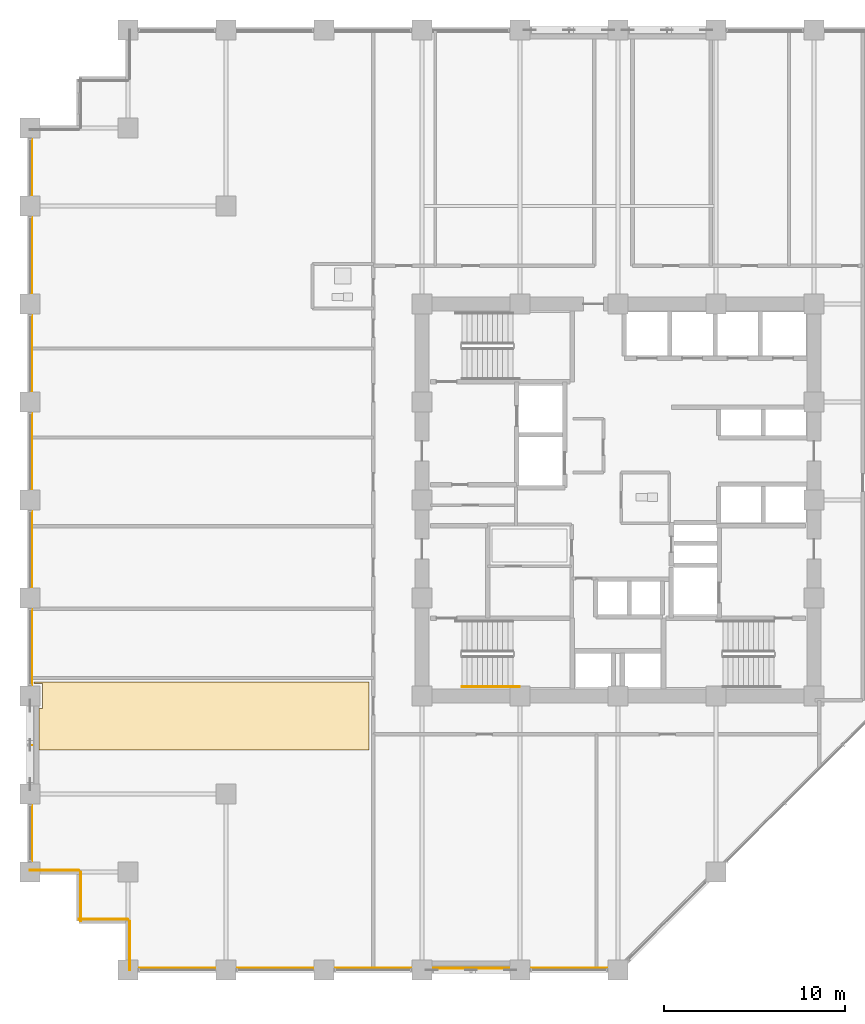
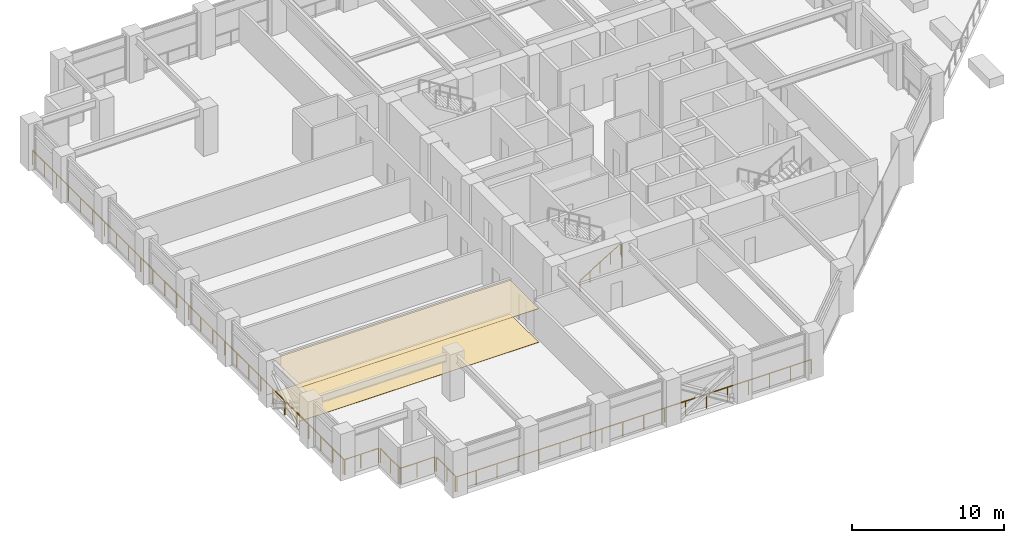
# One storey, part 24 of 30: 7 railings, 2 coverings.
"""IFC4 building model written with IfcOpenShell, lengths in metres."""

import ifcopenshell
import ifcopenshell.guid

model = None  # the IFC model being written
_history = None  # IfcOwnerHistory: only IFC2X3 demands one
_inside = {}  # id of a spatial element -> (the spatial element, [elements in it])
_under = {}  # id of a project, library or spatial element -> (it, [spatial elements below it])
_declared = {}  # id of a project -> (the project, [libraries it declares])
_typed = {}  # id of a type object -> (the type object, [elements of that type])
_made_of = {}  # id of a material, layer set ... -> (it, [elements and type objects made of it])


def new_model(schema):
    """Start an empty IFC model of exactly this schema.

    Asked for "IFC4X3", IfcOpenShell would pick the latest addendum, in which some entities
    have other attributes; the version numbers below select the first issue.
    IFC2X3 requires an IfcOwnerHistory on every rooted entity: one is made here for all.
    """
    global model, _history
    if schema == "IFC4X3":
        model = ifcopenshell.file(schema_version=(4, 3, 0, 0))
    else:
        model = ifcopenshell.file(schema=schema)
    _inside.clear()
    _under.clear()
    _declared.clear()
    _typed.clear()
    _made_of.clear()
    _history = None
    if model.schema == "IFC2X3":
        org = make("IfcOrganization", Name="unknown")
        user = make(
            "IfcPersonAndOrganization",
            ThePerson=make("IfcPerson", FamilyName="unknown"),
            TheOrganization=org,
        )
        app = make(
            "IfcApplication",
            ApplicationDeveloper=org,
            Version="unknown",
            ApplicationFullName="unknown",
            ApplicationIdentifier="unknown",
        )
        _history = make(
            "IfcOwnerHistory",
            OwningUser=user,
            OwningApplication=app,
            ChangeAction="ADDED",
            CreationDate=0,
        )
    return model


def make(cls, **values):
    """One entity of the class cls with the attributes given. An attribute that is None is left unset."""
    return model.create_entity(
        cls, **{name: value for name, value in values.items() if value is not None}
    )


def rooted(cls, **values):
    """An entity with a GlobalId (a new one), such as an element, a storey or a relation."""
    return make(cls, GlobalId=ifcopenshell.guid.new(), OwnerHistory=_history, **values)


def si_unit(unit_type, name, prefix=None):
    """IfcSIUnit, for example si_unit("LENGTHUNIT", "METRE", prefix="MILLI")."""
    return make("IfcSIUnit", UnitType=unit_type, Prefix=prefix, Name=name)


def assignment(units):
    """IfcUnitAssignment: the units of a project."""
    return None if units is None else make("IfcUnitAssignment", Units=units)


def point(xyz):
    """IfcCartesianPoint."""
    return None if xyz is None else make("IfcCartesianPoint", Coordinates=xyz)


def direction(xyz):
    """IfcDirection."""
    return None if xyz is None else make("IfcDirection", DirectionRatios=xyz)


def frame(location, z_axis=None, x_axis=None):
    """IfcAxis2Placement3D, a coordinate frame: its origin and axes. An axis left out is left unset."""
    return make(
        "IfcAxis2Placement3D",
        Location=point(location),
        Axis=direction(z_axis),
        RefDirection=direction(x_axis),
    )


def frame_2d(location, x_axis=None):
    """IfcAxis2Placement2D, a coordinate frame in the plane: its origin and x axis."""
    return make(
        "IfcAxis2Placement2D", Location=point(location), RefDirection=direction(x_axis)
    )


def origin():
    """The frame at (0, 0, 0) with its axes left unset."""
    return frame((0.0, 0.0, 0.0))


def origin_2d():
    """The frame at (0, 0) in the plane with its x axis left unset."""
    return frame_2d((0.0, 0.0))


def place(relative_to, where):
    """IfcLocalPlacement: puts the frame where relative to a parent placement (None: the world)."""
    return make(
        "IfcLocalPlacement", PlacementRelTo=relative_to, RelativePlacement=where
    )


def context(
    kind, dimensions, precision=None, world=None, true_north=None, identifier=None
):
    """IfcGeometricRepresentationContext, for example the 3D "Model" context."""
    return make(
        "IfcGeometricRepresentationContext",
        ContextIdentifier=identifier,
        ContextType=kind,
        CoordinateSpaceDimension=dimensions,
        Precision=precision,
        WorldCoordinateSystem=world,
        TrueNorth=true_north,
    )


def subcontext(parent, identifier, kind, view, scale=None):
    """IfcGeometricRepresentationSubContext, for example "Body" below "Model"."""
    return make(
        "IfcGeometricRepresentationSubContext",
        ContextIdentifier=identifier,
        ContextType=kind,
        ParentContext=parent,
        TargetScale=scale,
        TargetView=view,
    )


def project(units=None, contexts=None):
    """IfcProject with its units and contexts."""
    return rooted(
        "IfcProject",
        Name="project",
        RepresentationContexts=contexts,
        UnitsInContext=assignment(units),
    )


def spatial(cls, under=None, at=None, **own):
    """A site, building, storey or space (cls), placed at a placement, below another one or the project."""
    s = rooted(cls, ObjectPlacement=at, **own)
    if under is not None:
        _under.setdefault(under.id(), (under, []))[1].append(s)
    return s


def polyline(points):
    """IfcPolyline through the points."""
    return make("IfcPolyline", Points=[point(p) for p in points])


def profile(cls, at=None, kind="AREA", **sizes):
    """A parametric profile (cls). Its sizes go by their IFC names, for example OverallWidth=200.0."""
    return make(cls, ProfileType=kind, Position=at, **sizes)


def circle(**sizes):
    """IfcCircleProfileDef."""
    return profile("IfcCircleProfileDef", **sizes)


def outline(outer, holes=None, kind="AREA"):
    """IfcArbitraryClosedProfileDef: a profile drawn as a closed curve; with holes, ...WithVoids."""
    if holes is None:
        return make("IfcArbitraryClosedProfileDef", ProfileType=kind, OuterCurve=outer)
    return make(
        "IfcArbitraryProfileDefWithVoids",
        ProfileType=kind,
        OuterCurve=outer,
        InnerCurves=holes,
    )


def extrude(swept, where, along, depth):
    """IfcExtrudedAreaSolid: the profile swept, set in the frame where, extruded along a direction by depth."""
    return make(
        "IfcExtrudedAreaSolid",
        SweptArea=swept,
        Position=where,
        ExtrudedDirection=direction(along),
        Depth=depth,
    )


def shape(context_of_items, identifier, shape_type, items):
    """IfcShapeRepresentation: the items that make up one representation, for example the "Body"."""
    return make(
        "IfcShapeRepresentation",
        ContextOfItems=context_of_items,
        RepresentationIdentifier=identifier,
        RepresentationType=shape_type,
        Items=items,
    )


def material(Name=None, Category=None):
    """IfcMaterial."""
    return make("IfcMaterial", Name=Name, Category=Category)


def layer(
    of_material, thickness, ventilated=None, Name=None, Category=None, Priority=None
):
    """IfcMaterialLayer: one layer of a wall or slab, of a material (None: an air gap)."""
    return make(
        "IfcMaterialLayer",
        Material=of_material,
        LayerThickness=thickness,
        IsVentilated=ventilated,
        Name=Name,
        Category=Category,
        Priority=Priority,
    )


def layer_set(layers, Name=None):
    """IfcMaterialLayerSet."""
    return make("IfcMaterialLayerSet", MaterialLayers=layers, LayerSetName=Name)


def made_of(thing, what):
    """Note that an element or type object is made of a material, layer set ...; save() writes the relation."""
    if what is not None:
        _made_of.setdefault(what.id(), (what, []))[1].append(thing)
    return thing


def type_object(cls, material=None, **own):
    """A type object (cls), such as IfcWallType, which elements share."""
    return made_of(rooted(cls, **own), material)


def element(
    cls,
    number,
    at=None,
    inside=None,
    cuts=None,
    type_object=None,
    material=None,
    context=None,
    identifier="Body",
    shape_type=None,
    held_by="IfcProductDefinitionShape",
    body=None,
    shapes=None,
    **own,
):
    """One element of the class cls, such as IfcWall. Its Tag is "e" and its number.

    at: its placement. inside: the storey or other place that contains it. cuts: it is an
    opening in that element (IfcRelVoidsElement). A single representation is given by context,
    identifier, shape_type and body (its items); several are given by shapes. held_by: the class
    of the entity that holds the representations. save() writes the other relations.
    """
    e = rooted(cls, Tag="e%d" % number, ObjectPlacement=at, **own)
    if body is not None:
        shapes = [shape(context, identifier, shape_type, body)]
    if shapes is not None:
        e.Representation = make(held_by, Representations=shapes)
    if inside is not None:
        _inside.setdefault(inside.id(), (inside, []))[1].append(e)
    if cuts is not None:
        rooted(
            "IfcRelVoidsElement", RelatingBuildingElement=cuts, RelatedOpeningElement=e
        )
    if type_object is not None:
        _typed.setdefault(type_object.id(), (type_object, []))[1].append(e)
    return made_of(e, material)


def aggregate(whole, parts):
    """IfcRelAggregates: a whole, such as a stair, and the parts it consists of."""
    return rooted("IfcRelAggregates", RelatingObject=whole, RelatedObjects=parts)


def save(model, path):
    """Write the relations noted so far, then the file.

    IfcRelAggregates (storeys below a building ...), IfcRelContainedInSpatialStructure (elements
    in a storey), IfcRelDefinesByType, IfcRelAssociatesMaterial and IfcRelDeclares: one each for
    every whole, place, type object, material and project.
    """
    for whole, parts in _under.values():
        aggregate(whole, parts)
    for where, things in _inside.values():
        rooted(
            "IfcRelContainedInSpatialStructure",
            RelatedElements=things,
            RelatingStructure=where,
        )
    for kind, things in _typed.values():
        rooted("IfcRelDefinesByType", RelatedObjects=things, RelatingType=kind)
    for what, things in _made_of.values():
        rooted("IfcRelAssociatesMaterial", RelatedObjects=things, RelatingMaterial=what)
    for by, libraries in _declared.values():
        rooted("IfcRelDeclares", RelatingContext=by, RelatedDefinitions=libraries)
    model.write(path)


model = new_model("IFC4")

# Units and contexts
model_context = context("Model", 3, precision=1e-05, world=origin(), true_north=direction((0.0, 1.0)))
body_context = subcontext(model_context, "Body", "Model", "MODEL_VIEW")
ifc_project = project(units=[si_unit("LENGTHUNIT", "METRE"), si_unit("AREAUNIT", "SQUARE_METRE"), si_unit("VOLUMEUNIT", "CUBIC_METRE"), si_unit("PLANEANGLEUNIT", "RADIAN"), si_unit("MASSUNIT", "GRAM", prefix="KILO")], contexts=[model_context])

# Site, building, storey
site_placement = place(None, origin())
site = spatial("IfcSite", under=ifc_project, at=site_placement, CompositionType="ELEMENT")
building_placement = place(site_placement, origin())
building = spatial("IfcBuilding", under=site, at=building_placement, Name="Surkhivell Harbour Commons", CompositionType="ELEMENT")
storey_placement = place(building_placement, frame((0.0, 0.0, 83.25)))
storey = spatial("IfcBuildingStorey", under=building, at=storey_placement, Name="L21", CompositionType="ELEMENT", Elevation=83.25)

# Coverings
ifc_material_1 = material(Name="Moisture-resistant gypsum acoustic ceiling board", Category="other")
ifc_layer_1 = layer(ifc_material_1, 0.030029296875)
ifc_layer_set_1 = layer_set([ifc_layer_1], Name="Moisture-resistant gypsum acoustic ceiling board")
covering_type_1 = type_object("IfcCoveringType", Name="COV-CEIL-GYP", PredefinedType="CEILING", material=ifc_layer_set_1)
covering_1_placement = place(storey_placement, frame((0.0, 0.0, 2.68896484375)))
element("IfcCovering", 1, at=covering_1_placement, inside=storey, type_object=covering_type_1, Name="L21 Suspended Acoustic Ceiling 2", PredefinedType="CEILING", context=body_context, shape_type="SweptSolid", body=[
    extrude(outline(polyline([(-13.719970703125, -13.780029296875), (-13.719970703125, -10.027587890625), (-32.18994140625, -10.027587890625), (-32.18994140625, -10.110107421875), (-31.7099609375, -10.110107421875), (-31.7099609375, -11.489990234375), (-31.889892578125, -11.489990234375), (-31.889892578125, -13.780029296875), (-13.719970703125, -13.780029296875)])), origin(), (0.0, 0.0, 1.0), 0.030029296875),
])
ifc_material_2 = material(Name="Engineered acoustic oak timber flooring", Category="wood")
ifc_layer_2 = layer(ifc_material_2, 0.02001953125)
ifc_layer_set_2 = layer_set([ifc_layer_2], Name="Engineered acoustic oak timber flooring")
covering_type_2 = type_object("IfcCoveringType", Name="COV-FLR-TIM", PredefinedType="FLOORING", material=ifc_layer_set_2)
covering_2_placement = place(storey_placement, origin())
element("IfcCovering", 2, at=covering_2_placement, inside=storey, type_object=covering_type_2, Name="L21 Interior Floor Finish 2", PredefinedType="FLOORING", context=body_context, shape_type="SweptSolid", body=[
    extrude(outline(polyline([(-13.719970703125, -13.780029296875), (-13.719970703125, -10.027587890625), (-32.18994140625, -10.027587890625), (-32.18994140625, -10.110107421875), (-31.7099609375, -10.110107421875), (-31.7099609375, -11.489990234375), (-31.889892578125, -11.489990234375), (-31.889892578125, -13.780029296875), (-13.719970703125, -13.780029296875)])), origin(), (0.0, 0.0, 1.0), 0.02001953125),
])

# Railings
ifc_material_3 = material(Name="Laminated safety glass and stainless steel S355 balustrade", Category="steel")
railing_type_1 = type_object("IfcRailingType", Name="RAL-BAL-1150", PredefinedType="BALUSTRADE", material=ifc_material_3)
railing_1_placement = place(storey_placement, frame((-27.0, -25.81005859375, 0.0)))
element("IfcRailing", 3, at=railing_1_placement, inside=storey, type_object=railing_type_1, Name="L21 Perimeter Safety Guard 01", PredefinedType="BALUSTRADE", context=body_context, shape_type="SweptSolid", body=[
    extrude(circle(Radius=0.02392578125, at=origin_2d()), frame((0.0, 0.0, 1.1259765625), z_axis=(1.0, 0.0, 0.0), x_axis=(0.0, 1.0, 0.0)), (0.0, 0.0, 1.0), 27.0),
    extrude(circle(Radius=0.02099609375, at=origin_2d()), origin(), (0.0, 0.0, 1.0), 1.101806640625),
    extrude(circle(Radius=0.02099609375, at=origin_2d()), frame((1.588134765625, 0.0, 0.0)), (0.0, 0.0, 1.0), 1.101806640625),
    extrude(circle(Radius=0.02099609375, at=origin_2d()), frame((3.176513671875, 0.0, 0.0)), (0.0, 0.0, 1.0), 1.101806640625),
    extrude(circle(Radius=0.02099609375, at=origin_2d()), frame((4.7646484375, 0.0, 0.0)), (0.0, 0.0, 1.0), 1.101806640625),
    extrude(circle(Radius=0.02099609375, at=origin_2d()), frame((6.35302734375, 0.0, 0.0)), (0.0, 0.0, 1.0), 1.101806640625),
    extrude(circle(Radius=0.02099609375, at=origin_2d()), frame((7.941162109375, 0.0, 0.0)), (0.0, 0.0, 1.0), 1.101806640625),
    extrude(circle(Radius=0.02099609375, at=origin_2d()), frame((9.529296875, 0.0, 0.0)), (0.0, 0.0, 1.0), 1.101806640625),
    extrude(circle(Radius=0.02099609375, at=origin_2d()), frame((11.11767578125, 0.0, 0.0)), (0.0, 0.0, 1.0), 1.101806640625),
    extrude(circle(Radius=0.02099609375, at=origin_2d()), frame((12.705810546875, 0.0, 0.0)), (0.0, 0.0, 1.0), 1.101806640625),
    extrude(circle(Radius=0.02099609375, at=origin_2d()), frame((14.294189453125, 0.0, 0.0)), (0.0, 0.0, 1.0), 1.101806640625),
    extrude(circle(Radius=0.02099609375, at=origin_2d()), frame((15.88232421875, 0.0, 0.0)), (0.0, 0.0, 1.0), 1.101806640625),
    extrude(circle(Radius=0.02099609375, at=origin_2d()), frame((17.470703125, 0.0, 0.0)), (0.0, 0.0, 1.0), 1.101806640625),
    extrude(circle(Radius=0.02099609375, at=origin_2d()), frame((19.058837890625, 0.0, 0.0)), (0.0, 0.0, 1.0), 1.101806640625),
    extrude(circle(Radius=0.02099609375, at=origin_2d()), frame((20.64697265625, 0.0, 0.0)), (0.0, 0.0, 1.0), 1.101806640625),
    extrude(circle(Radius=0.02099609375, at=origin_2d()), frame((22.2353515625, 0.0, 0.0)), (0.0, 0.0, 1.0), 1.101806640625),
    extrude(circle(Radius=0.02099609375, at=origin_2d()), frame((23.823486328125, 0.0, 0.0)), (0.0, 0.0, 1.0), 1.101806640625),
    extrude(circle(Radius=0.02099609375, at=origin_2d()), frame((25.411865234375, 0.0, 0.0)), (0.0, 0.0, 1.0), 1.101806640625),
    extrude(circle(Radius=0.02099609375, at=origin_2d()), frame((27.0, 0.0, 0.0)), (0.0, 0.0, 1.0), 1.101806640625),
])
railing_2_placement = place(storey_placement, frame((-32.31005859375, 20.5, 0.0)))
element("IfcRailing", 4, at=railing_2_placement, inside=storey, type_object=railing_type_1, Name="L21 Perimeter Safety Guard 13", PredefinedType="BALUSTRADE", context=body_context, shape_type="SweptSolid", body=[
    extrude(circle(Radius=0.02392578125, at=origin_2d()), frame((0.0, 0.0, 1.1259765625), z_axis=(0.0, -1.0, 0.0), x_axis=(1.0, 0.0, 0.0)), (0.0, 0.0, 1.0), 41.0),
    extrude(circle(Radius=0.02099609375, at=origin_2d()), origin(), (0.0, 0.0, 1.0), 1.101806640625),
    extrude(circle(Radius=0.02099609375, at=origin_2d()), frame((0.0, -1.576904296875, 0.0)), (0.0, 0.0, 1.0), 1.101806640625),
    extrude(circle(Radius=0.02099609375, at=origin_2d()), frame((0.0, -3.15380859375, 0.0)), (0.0, 0.0, 1.0), 1.101806640625),
    extrude(circle(Radius=0.02099609375, at=origin_2d()), frame((0.0, -4.730712890625, 0.0)), (0.0, 0.0, 1.0), 1.101806640625),
    extrude(circle(Radius=0.02099609375, at=origin_2d()), frame((0.0, -6.3076171875, 0.0)), (0.0, 0.0, 1.0), 1.101806640625),
    extrude(circle(Radius=0.02099609375, at=origin_2d()), frame((0.0, -7.884521484375, 0.0)), (0.0, 0.0, 1.0), 1.101806640625),
    extrude(circle(Radius=0.02099609375, at=origin_2d()), frame((0.0, -9.46142578125, 0.0)), (0.0, 0.0, 1.0), 1.101806640625),
    extrude(circle(Radius=0.02099609375, at=origin_2d()), frame((0.0, -11.03857421875, 0.0)), (0.0, 0.0, 1.0), 1.101806640625),
    extrude(circle(Radius=0.02099609375, at=origin_2d()), frame((0.0, -12.615478515625, 0.0)), (0.0, 0.0, 1.0), 1.101806640625),
    extrude(circle(Radius=0.02099609375, at=origin_2d()), frame((0.0, -14.1923828125, 0.0)), (0.0, 0.0, 1.0), 1.101806640625),
    extrude(circle(Radius=0.02099609375, at=origin_2d()), frame((0.0, -15.769287109375, 0.0)), (0.0, 0.0, 1.0), 1.101806640625),
    extrude(circle(Radius=0.02099609375, at=origin_2d()), frame((0.0, -17.34619140625, 0.0)), (0.0, 0.0, 1.0), 1.101806640625),
    extrude(circle(Radius=0.02099609375, at=origin_2d()), frame((0.0, -18.923095703125, 0.0)), (0.0, 0.0, 1.0), 1.101806640625),
    extrude(circle(Radius=0.02099609375, at=origin_2d()), frame((0.0, -20.5, 0.0)), (0.0, 0.0, 1.0), 1.101806640625),
    extrude(circle(Radius=0.02099609375, at=origin_2d()), frame((0.0, -22.076904296875, 0.0)), (0.0, 0.0, 1.0), 1.101806640625),
    extrude(circle(Radius=0.02099609375, at=origin_2d()), frame((0.0, -23.65380859375, 0.0)), (0.0, 0.0, 1.0), 1.101806640625),
    extrude(circle(Radius=0.02099609375, at=origin_2d()), frame((0.0, -25.230712890625, 0.0)), (0.0, 0.0, 1.0), 1.101806640625),
    extrude(circle(Radius=0.02099609375, at=origin_2d()), frame((0.0, -26.8076171875, 0.0)), (0.0, 0.0, 1.0), 1.101806640625),
    extrude(circle(Radius=0.02099609375, at=origin_2d()), frame((0.0, -28.384521484375, 0.0)), (0.0, 0.0, 1.0), 1.101806640625),
    extrude(circle(Radius=0.02099609375, at=origin_2d()), frame((0.0, -29.96142578125, 0.0)), (0.0, 0.0, 1.0), 1.101806640625),
    extrude(circle(Radius=0.02099609375, at=origin_2d()), frame((0.0, -31.53857421875, 0.0)), (0.0, 0.0, 1.0), 1.101806640625),
    extrude(circle(Radius=0.02099609375, at=origin_2d()), frame((0.0, -33.115478515625, 0.0)), (0.0, 0.0, 1.0), 1.101806640625),
    extrude(circle(Radius=0.02099609375, at=origin_2d()), frame((0.0, -34.6923828125, 0.0)), (0.0, 0.0, 1.0), 1.101806640625),
    extrude(circle(Radius=0.02099609375, at=origin_2d()), frame((0.0, -36.269287109375, 0.0)), (0.0, 0.0, 1.0), 1.101806640625),
    extrude(circle(Radius=0.02099609375, at=origin_2d()), frame((0.0, -37.84619140625, 0.0)), (0.0, 0.0, 1.0), 1.101806640625),
    extrude(circle(Radius=0.02099609375, at=origin_2d()), frame((0.0, -39.423095703125, 0.0)), (0.0, 0.0, 1.0), 1.101806640625),
    extrude(circle(Radius=0.02099609375, at=origin_2d()), frame((0.0, -41.0, 0.0)), (0.0, 0.0, 1.0), 1.101806640625),
])
railing_3_placement = place(storey_placement, frame((-32.39990234375, -20.409912109375, 0.0)))
element("IfcRailing", 5, at=railing_3_placement, inside=storey, type_object=railing_type_1, Name="L21 Perimeter Safety Guard 14", PredefinedType="BALUSTRADE", context=body_context, shape_type="SweptSolid", body=[
    extrude(circle(Radius=0.02392578125, at=origin_2d()), frame((0.0, 0.0, 1.1259765625), z_axis=(1.0, 0.0, 0.0), x_axis=(0.0, 1.0, 0.0)), (0.0, 0.0, 1.0), 2.699951171875),
    extrude(circle(Radius=0.02099609375, at=origin_2d()), origin(), (0.0, 0.0, 1.0), 1.101806640625),
    extrude(circle(Radius=0.02099609375, at=origin_2d()), frame((1.35009765625, 0.0, 0.0)), (0.0, 0.0, 1.0), 1.101806640625),
    extrude(circle(Radius=0.02099609375, at=origin_2d()), frame((2.699951171875, 0.0, 0.0)), (0.0, 0.0, 1.0), 1.101806640625),
])
railing_4_placement = place(storey_placement, frame((-29.610107421875, -20.5, 0.0)))
element("IfcRailing", 6, at=railing_4_placement, inside=storey, type_object=railing_type_1, Name="L21 Perimeter Safety Guard 15", PredefinedType="BALUSTRADE", context=body_context, shape_type="SweptSolid", body=[
    extrude(circle(Radius=0.02392578125, at=origin_2d()), frame((0.0, 0.0, 1.1259765625), z_axis=(0.0, -1.0, 0.0), x_axis=(1.0, 0.0, 0.0)), (0.0, 0.0, 1.0), 2.699951171875),
    extrude(circle(Radius=0.02099609375, at=origin_2d()), origin(), (0.0, 0.0, 1.0), 1.101806640625),
    extrude(circle(Radius=0.02099609375, at=origin_2d()), frame((0.0, -1.35009765625, 0.0)), (0.0, 0.0, 1.0), 1.101806640625),
    extrude(circle(Radius=0.02099609375, at=origin_2d()), frame((0.0, -2.699951171875, 0.0)), (0.0, 0.0, 1.0), 1.101806640625),
])
railing_5_placement = place(storey_placement, frame((-29.699951171875, -23.110107421875, 0.0)))
element("IfcRailing", 7, at=railing_5_placement, inside=storey, type_object=railing_type_1, Name="L21 Perimeter Safety Guard 16", PredefinedType="BALUSTRADE", context=body_context, shape_type="SweptSolid", body=[
    extrude(circle(Radius=0.02392578125, at=origin_2d()), frame((0.0, 0.0, 1.1259765625), z_axis=(1.0, 0.0, 0.0), x_axis=(0.0, 1.0, 0.0)), (0.0, 0.0, 1.0), 2.699951171875),
    extrude(circle(Radius=0.02099609375, at=origin_2d()), origin(), (0.0, 0.0, 1.0), 1.101806640625),
    extrude(circle(Radius=0.02099609375, at=origin_2d()), frame((1.35009765625, 0.0, 0.0)), (0.0, 0.0, 1.0), 1.101806640625),
    extrude(circle(Radius=0.02099609375, at=origin_2d()), frame((2.699951171875, 0.0, 0.0)), (0.0, 0.0, 1.0), 1.101806640625),
])
railing_6_placement = place(storey_placement, frame((-26.909912109375, -23.199951171875, 0.0)))
element("IfcRailing", 8, at=railing_6_placement, inside=storey, type_object=railing_type_1, Name="L21 Perimeter Safety Guard 17", PredefinedType="BALUSTRADE", context=body_context, shape_type="SweptSolid", body=[
    extrude(circle(Radius=0.02392578125, at=origin_2d()), frame((0.0, 0.0, 1.1259765625), z_axis=(0.0, -1.0, 0.0), x_axis=(1.0, 0.0, 0.0)), (0.0, 0.0, 1.0), 2.699951171875),
    extrude(circle(Radius=0.02099609375, at=origin_2d()), origin(), (0.0, 0.0, 1.0), 1.101806640625),
    extrude(circle(Radius=0.02099609375, at=origin_2d()), frame((0.0, -1.35009765625, 0.0)), (0.0, 0.0, 1.0), 1.101806640625),
    extrude(circle(Radius=0.02099609375, at=origin_2d()), frame((0.0, -2.699951171875, 0.0)), (0.0, 0.0, 1.0), 1.101806640625),
])
ifc_material_4 = material(Name="Brushed stainless steel S355 handrail", Category="steel")
railing_type_2 = type_object("IfcRailingType", Name="RAL-ST-HND900", PredefinedType="HANDRAIL", material=ifc_material_4)
railing_7_placement = place(storey_placement, frame((-8.590087890625, -10.2900390625, 0.17041015625)))
element("IfcRailing", 9, at=railing_7_placement, inside=storey, type_object=railing_type_2, Name="L21 ST3 stair handrail 1", PredefinedType="HANDRAIL", context=body_context, shape_type="SweptSolid", body=[
    extrude(circle(Radius=0.02392578125, at=origin_2d()), frame((0.0, 0.0, 0.8759765625), z_axis=(0.854177636135, 0.0, 0.519981313056), x_axis=(0.0, 1.0, 0.0)), (0.0, 0.0, 1.0), 3.60595703125),
    extrude(circle(Radius=0.02392578125, at=origin_2d()), frame((3.080078125, 0.0, 2.7509765625), z_axis=(0.425297416671, 0.0, -0.905053648892), x_axis=(0.0, 1.0, 0.0)), (0.0, 0.0, 1.0), 0.188232421875),
    extrude(circle(Radius=0.02099609375, at=origin_2d()), origin(), (0.0, 0.0, 1.0), 0.851806640625),
    extrude(circle(Radius=0.02099609375, at=origin_2d()), frame((0.77001953125, 0.0, 0.46875)), (0.0, 0.0, 1.0), 0.851806640625),
    extrude(circle(Radius=0.02099609375, at=origin_2d()), frame((1.5400390625, 0.0, 0.9375)), (0.0, 0.0, 1.0), 0.851806640625),
    extrude(circle(Radius=0.02099609375, at=origin_2d()), frame((2.31005859375, 0.0, 1.40625)), (0.0, 0.0, 1.0), 0.851806640625),
    extrude(circle(Radius=0.02099609375, at=origin_2d()), frame((3.080078125, 0.0, 1.875)), (0.0, 0.0, 1.0), 0.851806640625),
    extrude(circle(Radius=0.02099609375, at=origin_2d()), frame((3.16015625, 0.0, 1.70458984375)), (0.0, 0.0, 1.0), 0.851806640625),
])

save(model, "model.ifc")
